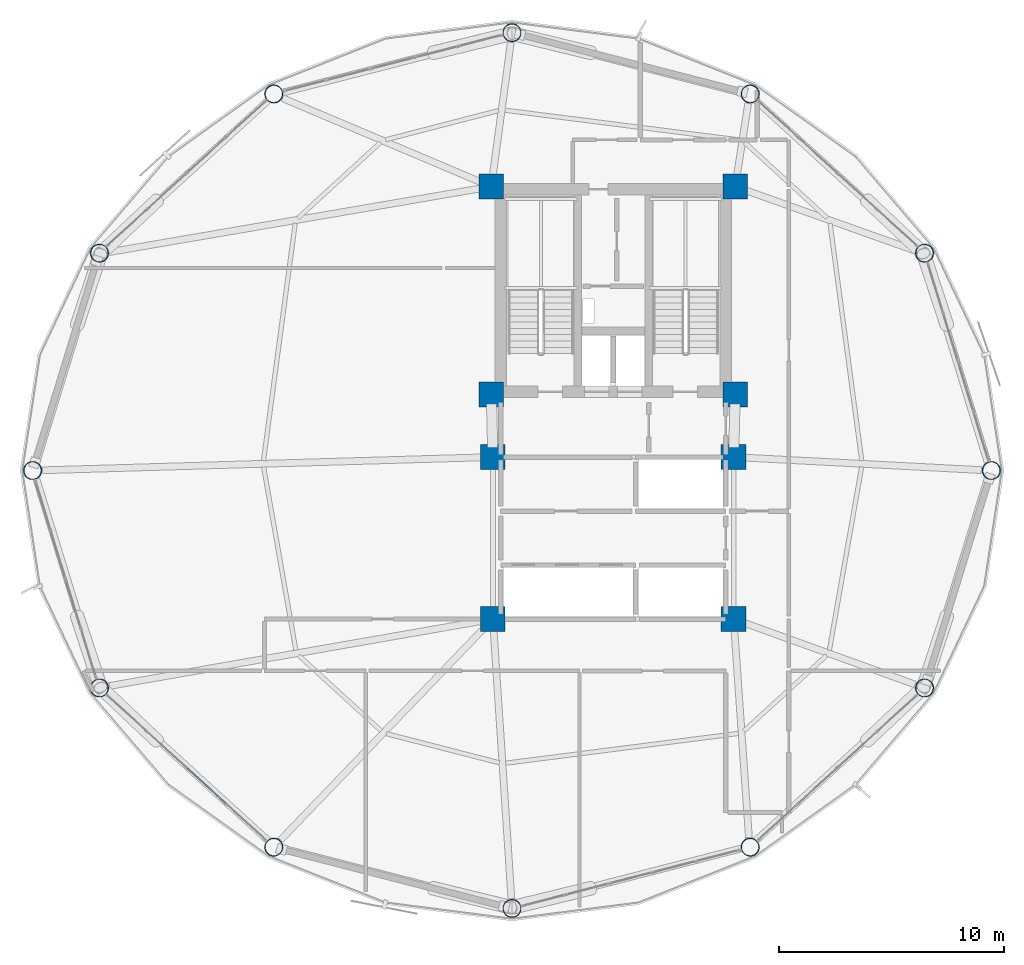
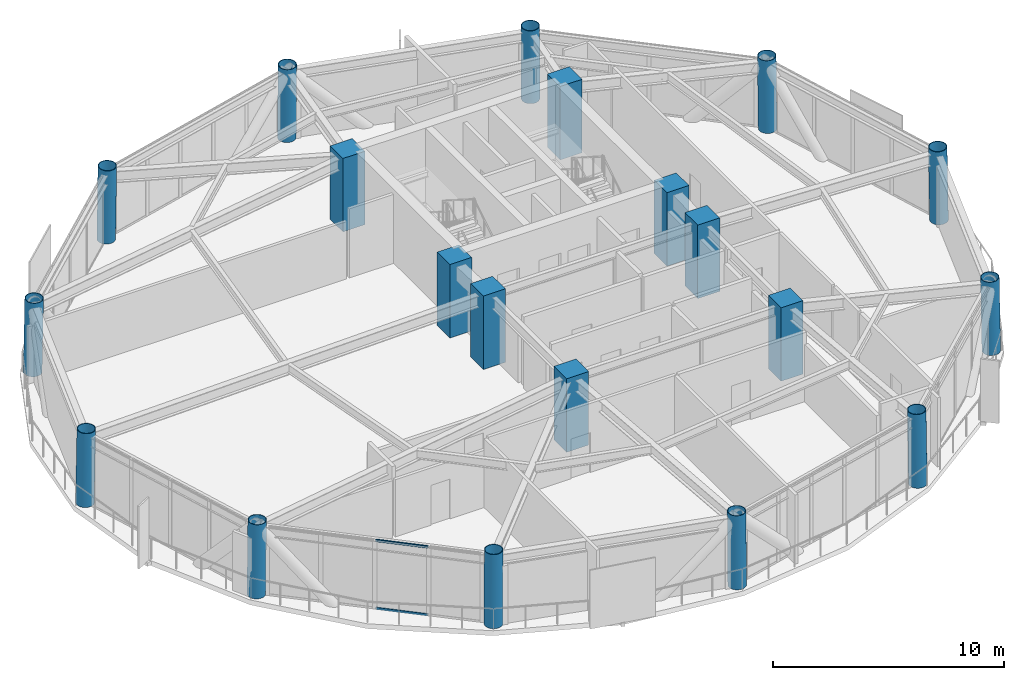
# One storey, part 1 of 24: 20 columns, 2 members, 1 element without a shape of its own.
"""IFC4 building model written with IfcOpenShell, lengths in metres."""

from ifc_helpers import new_model, si_unit, direction, frame, origin, origin_2d, place, context, subcontext, project, spatial, rectangle, hollow_rectangle, hollow_circle, extrude, material, layer, layer_set, material_profile, profile_set, type_object, element, aggregate, save


model = new_model("IFC4")

# Units and contexts
model_context = context("Model", 3, precision=1e-05, world=origin(), true_north=direction((0.0, 1.0)))
body_context = subcontext(model_context, "Body", "Model", "MODEL_VIEW")
ifc_project = project(units=[si_unit("LENGTHUNIT", "METRE"), si_unit("AREAUNIT", "SQUARE_METRE"), si_unit("VOLUMEUNIT", "CUBIC_METRE"), si_unit("PLANEANGLEUNIT", "RADIAN"), si_unit("MASSUNIT", "GRAM", prefix="KILO")], contexts=[model_context])

# Site, building, storey
site_placement = place(None, origin())
site = spatial("IfcSite", under=ifc_project, at=site_placement, CompositionType="ELEMENT")
building_placement = place(site_placement, origin())
building = spatial("IfcBuilding", under=site, at=building_placement, Name="Varnakorn Sky Granary", CompositionType="ELEMENT")
storey_placement = place(building_placement, frame((0.0, 0.0, 118.800048828125)))
storey = spatial("IfcBuildingStorey", under=building, at=storey_placement, Name="L29", CompositionType="ELEMENT", Elevation=118.800048828125)

# Columns
ifc_material_1 = material(Name="Steel S460M", Category="steel")
ifc_material_profile_1 = material_profile(ifc_material_1, hollow_circle(Radius=0.406494140625, WallThickness=0.030029296875, at=origin_2d()), Name="CHS 813x30")
ifc_profile_set_1 = profile_set([ifc_material_profile_1], Name="Steel S460M")
column_type_1 = type_object("IfcColumnType", Name="COL-DC-Z2", PredefinedType="COLUMN", material=ifc_profile_set_1)
for number, where, z_axis, x_axis, name in (
    (1, (19.81689453125, 0.0, 0.0), (-0.017260533083, 0.0, 0.999851025902), (0.0, -1.0, 0.0), "Drum Perimeter Column DC01 L29"),
    (2, (16.84423828125, 9.6669921875, 0.0), (-0.014992988439, -0.006173583475, 0.999868539941), (0.380749805254, -0.924678098475, 0.0), "Drum Perimeter Column DC02 L29"),
    (3, (9.091064453125, 16.74365234375, 0.0), (-0.008630735893, -0.010709672276, 0.999905402184), (0.77862958397, -0.627483841199, 0.0), "Drum Perimeter Column DC03 L29"),
):
    element("IfcColumn", number, at=place(storey_placement, frame(where, z_axis=z_axis, x_axis=x_axis)), inside=storey, type_object=column_type_1, Name=name, PredefinedType="COLUMN", context=body_context, shape_type="SweptSolid", body=[
        extrude(hollow_circle(Radius=0.406494140625, WallThickness=0.030029296875, at=origin_2d()), origin(), (0.0, 0.0, 1.0), 3.87548828125),
    ])
column_1_placement = place(storey_placement, frame((-1.5, 19.468994140625, 0.0), z_axis=(0.0, -0.01241083843, 0.999922982579), x_axis=(1.0, 0.0, 0.0)))
element("IfcColumn", 4, at=column_1_placement, inside=storey, type_object=column_type_1, Name="Drum Perimeter Column DC04 L29", PredefinedType="COLUMN", context=body_context, shape_type="SweptSolid", body=[
    extrude(hollow_circle(Radius=0.406494140625, WallThickness=0.030029296875, at=origin_2d()), origin(), (0.0, 0.0, 1.0), 3.875244140625),
])
for number, where, z_axis, x_axis, name in (
    (5, (-12.091064453125, 16.74365234375, 0.0), (0.008630735893, -0.010709672276, 0.999905402184), (0.77862958397, 0.627483841199, 0.0), "Drum Perimeter Column DC05 L29"),
    (6, (-19.84423828125, 9.6669921875, 0.0), (0.014992988439, -0.006173583475, 0.999868539941), (0.380749805254, 0.924678098475, 0.0), "Drum Perimeter Column DC06 L29"),
    (7, (-22.81689453125, 0.0, 0.0), (0.017260533083, 0.0, 0.999851025902), (0.0, 1.0, 0.0), "Drum Perimeter Column DC07 L29"),
    (8, (-19.84423828125, -9.6669921875, 0.0), (0.014992988439, 0.006173583475, 0.999868539941), (-0.380749805254, 0.924678098475, 0.0), "Drum Perimeter Column DC08 L29"),
    (9, (-12.091064453125, -16.74365234375, 0.0), (0.008630735893, 0.010709672276, 0.999905402184), (-0.77862958397, 0.627483841199, 0.0), "Drum Perimeter Column DC09 L29"),
):
    element("IfcColumn", number, at=place(storey_placement, frame(where, z_axis=z_axis, x_axis=x_axis)), inside=storey, type_object=column_type_1, Name=name, PredefinedType="COLUMN", context=body_context, shape_type="SweptSolid", body=[
        extrude(hollow_circle(Radius=0.406494140625, WallThickness=0.030029296875, at=origin_2d()), origin(), (0.0, 0.0, 1.0), 3.87548828125),
    ])
column_2_placement = place(storey_placement, frame((-1.5, -19.468994140625, 0.0), z_axis=(0.0, 0.01241083843, 0.999922982579), x_axis=(-1.0, 0.0, 0.0)))
element("IfcColumn", 10, at=column_2_placement, inside=storey, type_object=column_type_1, Name="Drum Perimeter Column DC10 L29", PredefinedType="COLUMN", context=body_context, shape_type="SweptSolid", body=[
    extrude(hollow_circle(Radius=0.406494140625, WallThickness=0.030029296875, at=origin_2d()), origin(), (0.0, 0.0, 1.0), 3.875244140625),
])
for number, where, z_axis, x_axis, name in (
    (11, (9.091064453125, -16.74365234375, 0.0), (-0.008630735893, 0.010709672276, 0.999905402184), (-0.77862958397, -0.627483841199, 0.0), "Drum Perimeter Column DC11 L29"),
    (12, (16.84423828125, -9.6669921875, 0.0), (-0.014992988439, 0.006173583475, 0.999868539941), (-0.380749805254, -0.924678098475, 0.0), "Drum Perimeter Column DC12 L29"),
):
    element("IfcColumn", number, at=place(storey_placement, frame(where, z_axis=z_axis, x_axis=x_axis)), inside=storey, type_object=column_type_1, Name=name, PredefinedType="COLUMN", context=body_context, shape_type="SweptSolid", body=[
        extrude(hollow_circle(Radius=0.406494140625, WallThickness=0.030029296875, at=origin_2d()), origin(), (0.0, 0.0, 1.0), 3.87548828125),
    ])
ifc_material_2 = material(Name="Concrete C60/75", Category="concrete")
ifc_material_profile_2 = material_profile(ifc_material_2, rectangle(XDim=1.10009765625, YDim=1.10009765625, at=origin_2d()), Name="RC 1100x1100")
ifc_profile_set_2 = profile_set([ifc_material_profile_2], Name="Concrete C60/75")
column_type_2 = type_object("IfcColumnType", Name="COL-MC-Z2", PredefinedType="COLUMN", material=ifc_profile_set_2)
for number, where, z_axis, x_axis, name in (
    (13, (-2.419921875, 12.6201171875, 0.0), (0.0, 0.0, 1.0), (1.0, 0.0, 0.0), "Backbone Mega-Column MC1 L29"),
    (14, (8.419921875, 12.6201171875, 0.0), (0.0, 0.0, 1.0), (1.0, 0.0, 0.0), "Backbone Mega-Column MC2 L29"),
    (15, (-2.419921875, 3.3798828125, 0.0), (0.0, 0.0, 1.0), (1.0, 0.0, 0.0), "Backbone Mega-Column MC3 L29"),
    (16, (8.419921875, 3.3798828125, 0.0), (0.0, 0.0, 1.0), (1.0, 0.0, 0.0), "Backbone Mega-Column MC4 L29"),
    (17, (-2.35009765625, 0.60009765625, 0.0), (0.0, 0.0, 1.0), (1.0, 0.0, 0.0), "Backbone Mega-Column MC5 L29"),
    (18, (8.35009765625, 0.60009765625, 0.0), (0.0, 0.0, 1.0), (1.0, 0.0, 0.0), "Backbone Mega-Column MC6 L29"),
    (19, (-2.35009765625, -6.60009765625, 0.0), (0.0, 0.0, 1.0), (1.0, 0.0, 0.0), "Backbone Mega-Column MC7 L29"),
    (20, (8.35009765625, -6.60009765625, 0.0), (0.0, 0.0, 1.0), (1.0, 0.0, 0.0), "Backbone Mega-Column MC8 L29"),
):
    element("IfcColumn", number, at=place(storey_placement, frame(where, z_axis=z_axis, x_axis=x_axis)), inside=storey, type_object=column_type_2, Name=name, PredefinedType="COLUMN", context=body_context, shape_type="SweptSolid", body=[
        extrude(rectangle(XDim=1.10009765625, YDim=1.10009765625, at=origin_2d()), origin(), (0.0, 0.0, 1.0), 3.875),
    ])

# Curtain wall, members
ifc_material_3 = material(Name="Anodised Bronze Aluminium Alloy 6063-T6", Category="aluminium")
ifc_layer = layer(ifc_material_3, 0.179931640625, Name="Anodised Bronze Aluminium Alloy 6063-T6")
ifc_layer_set = layer_set([ifc_layer], Name="Anodised Bronze Aluminium Alloy 6063-T6")
curtain_wall_type = type_object("IfcCurtainWallType", Name="CW-FRM-2", PredefinedType="USERDEFINED", material=ifc_layer_set)
curtain_wall_placement = place(storey_placement, origin())
curtain_wall = element("IfcCurtainWall", 21, at=curtain_wall_placement, inside=storey, type_object=curtain_wall_type, Name="Unitised Curtain Wall CW4 CW-L29-B08", ObjectType="CURTAIN WALL", PredefinedType="USERDEFINED")
ifc_material_profile_3 = material_profile(ifc_material_3, hollow_rectangle(XDim=0.06494140625, YDim=0.1201171875, WallThickness=0.00341796875, at=origin_2d()), Name="ALU TRAN 65x120")
ifc_profile_set_3 = profile_set([ifc_material_profile_3], Name="Anodised Bronze Aluminium Alloy 6063-T6")
member_type = type_object("IfcMemberType", Name="CW-FRM-2-TRAN", PredefinedType="USERDEFINED", material=ifc_profile_set_3)
member_1_placement = place(storey_placement, frame((-14.2275390625, -14.793701171875, 0.032470703125), z_axis=(-0.738562920083, 0.674184554168, 0.0), x_axis=(-0.674184554168, -0.738562920083, 0.0)))
member_1 = element("IfcMember", 22, at=member_1_placement, type_object=member_type, Name="CW4 transom 2.1", ObjectType="TRANSOM", PredefinedType="USERDEFINED", context=body_context, shape_type="SweptSolid", body=[
    extrude(hollow_rectangle(XDim=0.06494140625, YDim=0.1201171875, WallThickness=0.00341796875, at=origin_2d()), origin(), (0.0, 0.0, 1.0), 2.32080078125),
])
member_2_placement = place(storey_placement, frame((-14.2275390625, -14.793701171875, 3.607421875), z_axis=(-0.738562920083, 0.674184554168, 0.0), x_axis=(-0.674184554168, -0.738562920083, 0.0)))
member_2 = element("IfcMember", 23, at=member_2_placement, type_object=member_type, Name="CW4 transom 2.2", ObjectType="TRANSOM", PredefinedType="USERDEFINED", context=body_context, shape_type="SweptSolid", body=[
    extrude(hollow_rectangle(XDim=0.06494140625, YDim=0.1201171875, WallThickness=0.00341796875, at=origin_2d()), origin(), (0.0, 0.0, 1.0), 2.32080078125),
])
aggregate(curtain_wall, [member_1, member_2])

save(model, "model.ifc")
